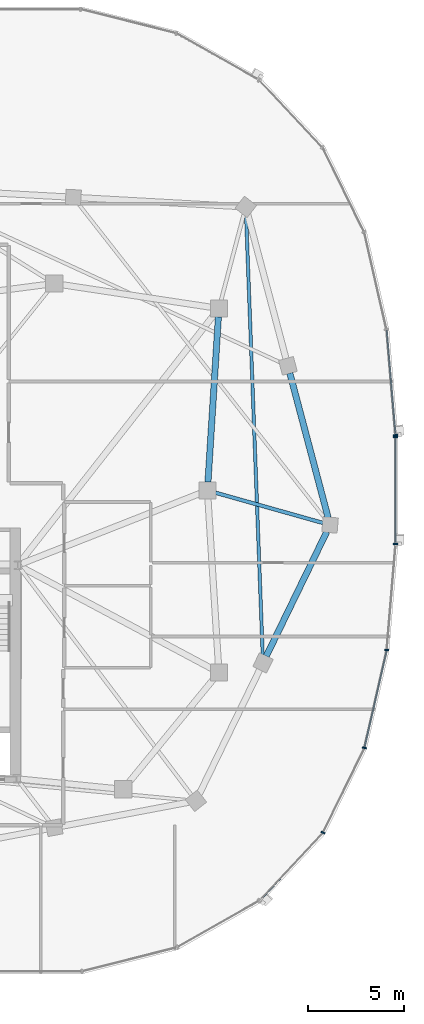
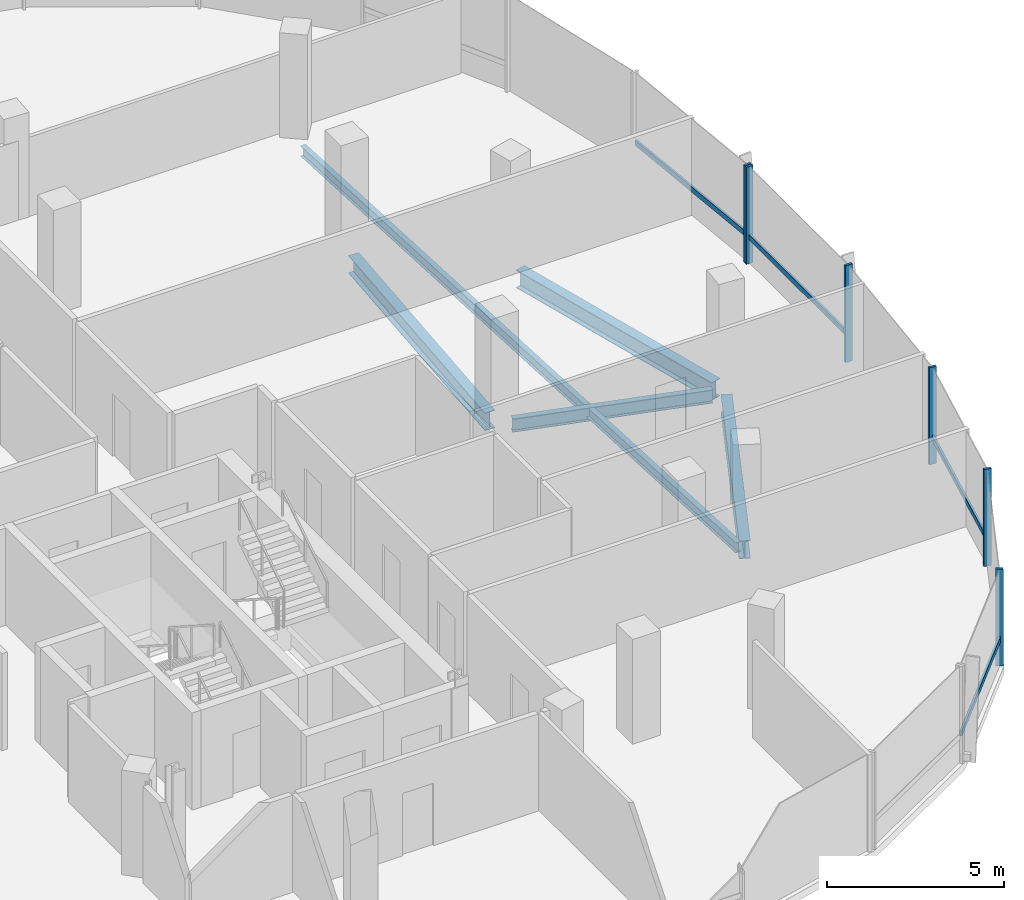
# One storey, part 9 of 26: 10 members, 5 beams, 2 elements without a shape of their own.
"""IFC4 building model written with IfcOpenShell, lengths in metres."""

import ifcopenshell
import ifcopenshell.guid

model = None  # the IFC model being written
_history = None  # IfcOwnerHistory: only IFC2X3 demands one
_inside = {}  # id of a spatial element -> (the spatial element, [elements in it])
_under = {}  # id of a project, library or spatial element -> (it, [spatial elements below it])
_declared = {}  # id of a project -> (the project, [libraries it declares])
_typed = {}  # id of a type object -> (the type object, [elements of that type])
_made_of = {}  # id of a material, layer set ... -> (it, [elements and type objects made of it])


def new_model(schema):
    """Start an empty IFC model of exactly this schema.

    Asked for "IFC4X3", IfcOpenShell would pick the latest addendum, in which some entities
    have other attributes; the version numbers below select the first issue.
    IFC2X3 requires an IfcOwnerHistory on every rooted entity: one is made here for all.
    """
    global model, _history
    if schema == "IFC4X3":
        model = ifcopenshell.file(schema_version=(4, 3, 0, 0))
    else:
        model = ifcopenshell.file(schema=schema)
    _inside.clear()
    _under.clear()
    _declared.clear()
    _typed.clear()
    _made_of.clear()
    _history = None
    if model.schema == "IFC2X3":
        org = make("IfcOrganization", Name="unknown")
        user = make(
            "IfcPersonAndOrganization",
            ThePerson=make("IfcPerson", FamilyName="unknown"),
            TheOrganization=org,
        )
        app = make(
            "IfcApplication",
            ApplicationDeveloper=org,
            Version="unknown",
            ApplicationFullName="unknown",
            ApplicationIdentifier="unknown",
        )
        _history = make(
            "IfcOwnerHistory",
            OwningUser=user,
            OwningApplication=app,
            ChangeAction="ADDED",
            CreationDate=0,
        )
    return model


def make(cls, **values):
    """One entity of the class cls with the attributes given. An attribute that is None is left unset."""
    return model.create_entity(
        cls, **{name: value for name, value in values.items() if value is not None}
    )


def rooted(cls, **values):
    """An entity with a GlobalId (a new one), such as an element, a storey or a relation."""
    return make(cls, GlobalId=ifcopenshell.guid.new(), OwnerHistory=_history, **values)


def si_unit(unit_type, name, prefix=None):
    """IfcSIUnit, for example si_unit("LENGTHUNIT", "METRE", prefix="MILLI")."""
    return make("IfcSIUnit", UnitType=unit_type, Prefix=prefix, Name=name)


def assignment(units):
    """IfcUnitAssignment: the units of a project."""
    return None if units is None else make("IfcUnitAssignment", Units=units)


def point(xyz):
    """IfcCartesianPoint."""
    return None if xyz is None else make("IfcCartesianPoint", Coordinates=xyz)


def direction(xyz):
    """IfcDirection."""
    return None if xyz is None else make("IfcDirection", DirectionRatios=xyz)


def frame(location, z_axis=None, x_axis=None):
    """IfcAxis2Placement3D, a coordinate frame: its origin and axes. An axis left out is left unset."""
    return make(
        "IfcAxis2Placement3D",
        Location=point(location),
        Axis=direction(z_axis),
        RefDirection=direction(x_axis),
    )


def frame_2d(location, x_axis=None):
    """IfcAxis2Placement2D, a coordinate frame in the plane: its origin and x axis."""
    return make(
        "IfcAxis2Placement2D", Location=point(location), RefDirection=direction(x_axis)
    )


def origin():
    """The frame at (0, 0, 0) with its axes left unset."""
    return frame((0.0, 0.0, 0.0))


def origin_2d():
    """The frame at (0, 0) in the plane with its x axis left unset."""
    return frame_2d((0.0, 0.0))


def place(relative_to, where):
    """IfcLocalPlacement: puts the frame where relative to a parent placement (None: the world)."""
    return make(
        "IfcLocalPlacement", PlacementRelTo=relative_to, RelativePlacement=where
    )


def context(
    kind, dimensions, precision=None, world=None, true_north=None, identifier=None
):
    """IfcGeometricRepresentationContext, for example the 3D "Model" context."""
    return make(
        "IfcGeometricRepresentationContext",
        ContextIdentifier=identifier,
        ContextType=kind,
        CoordinateSpaceDimension=dimensions,
        Precision=precision,
        WorldCoordinateSystem=world,
        TrueNorth=true_north,
    )


def subcontext(parent, identifier, kind, view, scale=None):
    """IfcGeometricRepresentationSubContext, for example "Body" below "Model"."""
    return make(
        "IfcGeometricRepresentationSubContext",
        ContextIdentifier=identifier,
        ContextType=kind,
        ParentContext=parent,
        TargetScale=scale,
        TargetView=view,
    )


def project(units=None, contexts=None):
    """IfcProject with its units and contexts."""
    return rooted(
        "IfcProject",
        Name="project",
        RepresentationContexts=contexts,
        UnitsInContext=assignment(units),
    )


def spatial(cls, under=None, at=None, **own):
    """A site, building, storey or space (cls), placed at a placement, below another one or the project."""
    s = rooted(cls, ObjectPlacement=at, **own)
    if under is not None:
        _under.setdefault(under.id(), (under, []))[1].append(s)
    return s


def profile(cls, at=None, kind="AREA", **sizes):
    """A parametric profile (cls). Its sizes go by their IFC names, for example OverallWidth=200.0."""
    return make(cls, ProfileType=kind, Position=at, **sizes)


def rectangle(**sizes):
    """IfcRectangleProfileDef."""
    return profile("IfcRectangleProfileDef", **sizes)


def i_section(**sizes):
    """IfcIShapeProfileDef."""
    return profile("IfcIShapeProfileDef", **sizes)


def extrude(swept, where, along, depth):
    """IfcExtrudedAreaSolid: the profile swept, set in the frame where, extruded along a direction by depth."""
    return make(
        "IfcExtrudedAreaSolid",
        SweptArea=swept,
        Position=where,
        ExtrudedDirection=direction(along),
        Depth=depth,
    )


def shape(context_of_items, identifier, shape_type, items):
    """IfcShapeRepresentation: the items that make up one representation, for example the "Body"."""
    return make(
        "IfcShapeRepresentation",
        ContextOfItems=context_of_items,
        RepresentationIdentifier=identifier,
        RepresentationType=shape_type,
        Items=items,
    )


def material(Name=None, Category=None):
    """IfcMaterial."""
    return make("IfcMaterial", Name=Name, Category=Category)


def material_profile(
    of_material, cross_section, Name=None, Category=None, Priority=None
):
    """IfcMaterialProfile: a cross section and its material."""
    return make(
        "IfcMaterialProfile",
        Name=Name,
        Material=of_material,
        Profile=cross_section,
        Priority=Priority,
        Category=Category,
    )


def profile_set(profiles, Name=None, composite=None):
    """IfcMaterialProfileSet."""
    return make(
        "IfcMaterialProfileSet",
        Name=Name,
        MaterialProfiles=profiles,
        CompositeProfile=composite,
    )


def made_of(thing, what):
    """Note that an element or type object is made of a material, layer set ...; save() writes the relation."""
    if what is not None:
        _made_of.setdefault(what.id(), (what, []))[1].append(thing)
    return thing


def type_object(cls, material=None, **own):
    """A type object (cls), such as IfcWallType, which elements share."""
    return made_of(rooted(cls, **own), material)


def element(
    cls,
    number,
    at=None,
    inside=None,
    cuts=None,
    type_object=None,
    material=None,
    context=None,
    identifier="Body",
    shape_type=None,
    held_by="IfcProductDefinitionShape",
    body=None,
    shapes=None,
    **own,
):
    """One element of the class cls, such as IfcWall. Its Tag is "e" and its number.

    at: its placement. inside: the storey or other place that contains it. cuts: it is an
    opening in that element (IfcRelVoidsElement). A single representation is given by context,
    identifier, shape_type and body (its items); several are given by shapes. held_by: the class
    of the entity that holds the representations. save() writes the other relations.
    """
    e = rooted(cls, Tag="e%d" % number, ObjectPlacement=at, **own)
    if body is not None:
        shapes = [shape(context, identifier, shape_type, body)]
    if shapes is not None:
        e.Representation = make(held_by, Representations=shapes)
    if inside is not None:
        _inside.setdefault(inside.id(), (inside, []))[1].append(e)
    if cuts is not None:
        rooted(
            "IfcRelVoidsElement", RelatingBuildingElement=cuts, RelatedOpeningElement=e
        )
    if type_object is not None:
        _typed.setdefault(type_object.id(), (type_object, []))[1].append(e)
    return made_of(e, material)


def aggregate(whole, parts):
    """IfcRelAggregates: a whole, such as a stair, and the parts it consists of."""
    return rooted("IfcRelAggregates", RelatingObject=whole, RelatedObjects=parts)


def save(model, path):
    """Write the relations noted so far, then the file.

    IfcRelAggregates (storeys below a building ...), IfcRelContainedInSpatialStructure (elements
    in a storey), IfcRelDefinesByType, IfcRelAssociatesMaterial and IfcRelDeclares: one each for
    every whole, place, type object, material and project.
    """
    for whole, parts in _under.values():
        aggregate(whole, parts)
    for where, things in _inside.values():
        rooted(
            "IfcRelContainedInSpatialStructure",
            RelatedElements=things,
            RelatingStructure=where,
        )
    for kind, things in _typed.values():
        rooted("IfcRelDefinesByType", RelatedObjects=things, RelatingType=kind)
    for what, things in _made_of.values():
        rooted("IfcRelAssociatesMaterial", RelatedObjects=things, RelatingMaterial=what)
    for by, libraries in _declared.values():
        rooted("IfcRelDeclares", RelatingContext=by, RelatedDefinitions=libraries)
    model.write(path)


model = new_model("IFC4")

# Units and contexts
model_context = context("Model", 3, precision=1e-05, world=origin(), true_north=direction((0.0, 1.0)))
body_context = subcontext(model_context, "Body", "Model", "MODEL_VIEW")
ifc_project = project(units=[si_unit("LENGTHUNIT", "METRE"), si_unit("AREAUNIT", "SQUARE_METRE"), si_unit("VOLUMEUNIT", "CUBIC_METRE"), si_unit("PLANEANGLEUNIT", "RADIAN"), si_unit("MASSUNIT", "GRAM", prefix="KILO"), si_unit("THERMODYNAMICTEMPERATUREUNIT", "KELVIN"), si_unit("POWERUNIT", "WATT")], contexts=[model_context])

# Site, building, storey
site_placement = place(None, origin())
site = spatial("IfcSite", under=ifc_project, at=site_placement, CompositionType="ELEMENT")
building_placement = place(site_placement, origin())
building = spatial("IfcBuilding", under=site, at=building_placement, Name="Cundina Bronze Exchange", CompositionType="ELEMENT")
storey_placement = place(building_placement, frame((0.0, 0.0, 261.199951171875)))
storey = spatial("IfcBuildingStorey", under=building, at=storey_placement, Name="L69", CompositionType="ELEMENT", Elevation=261.199951171875)

# Beams
ifc_material_1 = material(Name="Steel ASTM A992 Grade 50", Category="steel")
ifc_material_profile_1 = material_profile(ifc_material_1, i_section(OverallWidth=0.19091796875, OverallDepth=0.4599609375, WebThickness=0.010009765625, FlangeThickness=0.01611328125, FilletRadius=0.011962890625, at=origin_2d()), Name="W18X55", Category="steel")
ifc_profile_set_1 = profile_set([ifc_material_profile_1], Name="Steel ASTM A992 Grade 50")
beam_type_1 = type_object("IfcBeamType", Name="BM-FLR-W18B", PredefinedType="BEAM", material=ifc_profile_set_1)
beam_1_placement = place(storey_placement, frame((41.62158203125, -0.11865234375, -0.489990234375), z_axis=(0.962650257113, -0.270748005496, 0.0), x_axis=(0.270748005496, 0.962650257113, 0.0)))
element("IfcBeam", 1, at=beam_1_placement, inside=storey, type_object=beam_type_1, Name="L69 Leg E Chordal Floor Beam 08", PredefinedType="BEAM", context=body_context, shape_type="SweptSolid", body=[
    extrude(i_section(OverallWidth=0.19091796875, OverallDepth=0.4599609375, WebThickness=0.010009765625, FlangeThickness=0.01611328125, FilletRadius=0.011962890625, at=origin_2d()), origin(), (0.0, 0.0, 1.0), 5.822509765625),
])
ifc_material_profile_2 = material_profile(ifc_material_1, i_section(OverallWidth=0.172119140625, OverallDepth=0.35791015625, WebThickness=0.0078125, FlangeThickness=0.01318359375, FilletRadius=0.010009765625, at=origin_2d()), Name="W14X38", Category="steel")
ifc_profile_set_2 = profile_set([ifc_material_profile_2], Name="Steel ASTM A992 Grade 50")
beam_type_2 = type_object("IfcBeamType", Name="BM-JST-W14", PredefinedType="JOIST", material=ifc_profile_set_2)
beam_2_placement = place(storey_placement, frame((44.085205078125, -8.6123046875, -0.43896484375), z_axis=(-0.037784872152, 0.999285896746, 0.0), x_axis=(-0.999285896746, -0.037784872152, 0.0)))
element("IfcBeam", 2, at=beam_2_placement, inside=storey, type_object=beam_type_2, Name="L69 Leg E Lobe Floor Joist 07-10", PredefinedType="JOIST", context=body_context, shape_type="SweptSolid", body=[
    extrude(i_section(OverallWidth=0.172119140625, OverallDepth=0.35791015625, WebThickness=0.0078125, FlangeThickness=0.01318359375, FilletRadius=0.010009765625, at=origin_2d()), origin(), (0.0, 0.0, 1.0), 23.041015625),
])
ifc_material_profile_3 = material_profile(ifc_material_1, i_section(OverallWidth=0.324951171875, OverallDepth=0.615966796875, WebThickness=0.013916015625, FlangeThickness=0.021484375, FilletRadius=0.01611328125, at=origin_2d()), Name="W24X117", Category="steel")
ifc_profile_set_3 = profile_set([ifc_material_profile_3], Name="Steel ASTM A992 Grade 50")
beam_type_3 = type_object("IfcBeamType", Name="BM-RING-W24", PredefinedType="USERDEFINED", material=ifc_profile_set_3)
beam_3_placement = place(storey_placement, frame((41.2275390625, 0.43701171875, -0.56787109375), z_axis=(0.063046519736, 0.998010589297, 0.0), x_axis=(-0.998010589297, 0.063046519736, 0.0)))
element("IfcBeam", 3, at=beam_3_placement, inside=storey, type_object=beam_type_3, Name="L69 E Inner Structural Ring Girder 04", ObjectType="GIRDER", PredefinedType="USERDEFINED", context=body_context, shape_type="SweptSolid", body=[
    extrude(i_section(OverallWidth=0.324951171875, OverallDepth=0.615966796875, WebThickness=0.013916015625, FlangeThickness=0.021484375, FilletRadius=0.01611328125, at=origin_2d()), origin(), (0.0, 0.0, 1.0), 8.64306640625),
])
beam_4_placement = place(storey_placement, frame((44.26953125, -8.65087890625, -0.56787109375), z_axis=(0.437216986791, 0.899356050995, 0.0), x_axis=(-0.899356050995, 0.437216986791, 0.0)))
element("IfcBeam", 4, at=beam_4_placement, inside=storey, type_object=beam_type_3, Name="L69 E Perimeter Ring Girder 07", ObjectType="GIRDER", PredefinedType="USERDEFINED", context=body_context, shape_type="SweptSolid", body=[
    extrude(i_section(OverallWidth=0.324951171875, OverallDepth=0.615966796875, WebThickness=0.013916015625, FlangeThickness=0.021484375, FilletRadius=0.01611328125, at=origin_2d()), origin(), (0.0, 0.0, 1.0), 7.2294921875),
])
beam_5_placement = place(storey_placement, frame((47.50048828125, -1.425048828125, -0.56787109375), z_axis=(-0.256183793797, 0.966628089699, 0.0), x_axis=(-0.966628089699, -0.256183793797, 0.0)))
element("IfcBeam", 5, at=beam_5_placement, inside=storey, type_object=beam_type_3, Name="L69 E Perimeter Ring Girder 08", ObjectType="GIRDER", PredefinedType="USERDEFINED", context=body_context, shape_type="SweptSolid", body=[
    extrude(i_section(OverallWidth=0.324951171875, OverallDepth=0.615966796875, WebThickness=0.013916015625, FlangeThickness=0.021484375, FilletRadius=0.01611328125, at=origin_2d()), origin(), (0.0, 0.0, 1.0), 7.810791015625),
])

# Curtain wall, member
ifc_material_2 = material(Name="Anodised Bronze Aluminium 6063-T6", Category="aluminium")
curtain_wall_type = type_object("IfcCurtainWallType", Name="CWS-SKG-BRG", PredefinedType="NOTDEFINED", material=ifc_material_2)
curtain_wall_1_placement = place(storey_placement, origin())
curtain_wall_1 = element("IfcCurtainWall", 6, at=curtain_wall_1_placement, inside=storey, type_object=curtain_wall_type, Name="L69 CW-06 Curtain Wall Run CWR-L69-E1", PredefinedType="NOTDEFINED")
ifc_material_profile_4 = material_profile(ifc_material_2, rectangle(XDim=0.074951171875, YDim=0.219970703125, at=origin_2d()), Name="AL75X220", Category="aluminium")
ifc_profile_set_4 = profile_set([ifc_material_profile_4], Name="Anodised Bronze Aluminium 6063-T6")
member_type_1 = type_object("IfcMemberType", Name="CWM-MUL-220", PredefinedType="MULLION", material=ifc_profile_set_4)
member_1_placement = place(storey_placement, frame((51.01513671875, 2.885498046875, 0.0), z_axis=(0.0, 0.0, 1.0), x_axis=(-0.083677843332, 0.99649285925, 0.0)))
member_1 = element("IfcMember", 7, at=member_1_placement, type_object=member_type_1, Name="CW-06 Mullion 1", PredefinedType="MULLION", context=body_context, shape_type="SweptSolid", body=[
    extrude(rectangle(XDim=0.074951171875, YDim=0.219970703125, at=origin_2d()), origin(), (0.0, 0.0, 1.0), 3.340087890625),
])

# Curtain wall, members
curtain_wall_2_placement = place(storey_placement, origin())
curtain_wall_2 = element("IfcCurtainWall", 8, at=curtain_wall_2_placement, inside=storey, type_object=curtain_wall_type, Name="L69 CW-06 Curtain Wall Run CWR-L69-E4", PredefinedType="NOTDEFINED")
member_2_placement = place(storey_placement, frame((47.2333984375, -17.856689453125, 0.0), z_axis=(0.0, 0.0, 1.0), x_axis=(0.440566004113, 0.897720221461, 0.0)))
member_2 = element("IfcMember", 9, at=member_2_placement, type_object=member_type_1, Name="CW-06 Mullion 2", PredefinedType="MULLION", context=body_context, shape_type="SweptSolid", body=[
    extrude(rectangle(XDim=0.074951171875, YDim=0.219970703125, at=origin_2d()), origin(), (0.0, 0.0, 1.0), 3.340087890625),
])
member_3_placement = place(storey_placement, frame((49.39404296875, -13.433837890625, 0.0), z_axis=(0.0, 0.0, 1.0), x_axis=(0.223250116011, 0.974761194191, 0.0)))
member_3 = element("IfcMember", 10, at=member_3_placement, type_object=member_type_1, Name="CW-06 Mullion 3", PredefinedType="MULLION", context=body_context, shape_type="SweptSolid", body=[
    extrude(rectangle(XDim=0.074951171875, YDim=0.219970703125, at=origin_2d()), origin(), (0.0, 0.0, 1.0), 3.340087890625),
])
member_4_placement = place(storey_placement, frame((50.557861328125, -8.32568359375, 0.0), z_axis=(0.0, 0.0, 1.0), x_axis=(0.083677843332, 0.99649285925, 0.0)))
member_4 = element("IfcMember", 11, at=member_4_placement, type_object=member_type_1, Name="CW-06 Mullion 4", PredefinedType="MULLION", context=body_context, shape_type="SweptSolid", body=[
    extrude(rectangle(XDim=0.074951171875, YDim=0.219970703125, at=origin_2d()), origin(), (0.0, 0.0, 1.0), 3.340087890625),
])
member_5_placement = place(storey_placement, frame((51.01904296875, -2.79150390625, 0.0), z_axis=(0.0, 0.0, 1.0), x_axis=(0.0, 1.0, 0.0)))
member_5 = element("IfcMember", 12, at=member_5_placement, type_object=member_type_1, Name="CW-06 Mullion 5", PredefinedType="MULLION", context=body_context, shape_type="SweptSolid", body=[
    extrude(rectangle(XDim=0.074951171875, YDim=0.219970703125, at=origin_2d()), origin(), (0.0, 0.0, 1.0), 3.340087890625),
])
member_6_placement = place(storey_placement, frame((51.01904296875, 2.79150390625, 0.0), z_axis=(0.0, 0.0, 1.0), x_axis=(0.0, 1.0, 0.0)))
member_6 = element("IfcMember", 13, at=member_6_placement, type_object=member_type_1, Name="CW-06 End Mullion", PredefinedType="MULLION", context=body_context, shape_type="SweptSolid", body=[
    extrude(rectangle(XDim=0.074951171875, YDim=0.219970703125, at=origin_2d()), origin(), (0.0, 0.0, 1.0), 3.340087890625),
])

# Member
ifc_material_profile_5 = material_profile(ifc_material_2, rectangle(XDim=0.070068359375, YDim=0.179931640625, at=origin_2d()), Name="AL70X180", Category="aluminium")
ifc_profile_set_5 = profile_set([ifc_material_profile_5], Name="Anodised Bronze Aluminium 6063-T6")
member_type_2 = type_object("IfcMemberType", Name="CWM-TRN-180", PredefinedType="USERDEFINED", material=ifc_profile_set_5)
member_7_placement = place(storey_placement, frame((51.01171875, 2.926513671875, 0.920166015625), z_axis=(-0.083756005485, 0.996486292703, 0.0), x_axis=(-0.996486292703, -0.083756005485, 0.0)))
member_7 = element("IfcMember", 14, at=member_7_placement, type_object=member_type_2, Name="CW-06 Spandrel Transom 1", ObjectType="TRANSOM", PredefinedType="USERDEFINED", context=body_context, shape_type="SweptSolid", body=[
    extrude(rectangle(XDim=0.070068359375, YDim=0.179931640625, at=origin_2d()), origin(), (0.0, 0.0, 1.0), 5.459716796875),
])

aggregate(curtain_wall_1, [member_1, member_7])

member_8_placement = place(storey_placement, frame((43.968505859375, -21.349609375, 0.920166015625), z_axis=(0.684328474899, 0.729173873944, 0.0), x_axis=(-0.729173873944, 0.684328474899, 0.0)))
member_8 = element("IfcMember", 15, at=member_8_placement, type_object=member_type_2, Name="CW-06 Spandrel Transom 1", ObjectType="TRANSOM", PredefinedType="USERDEFINED", context=body_context, shape_type="SweptSolid", body=[
    extrude(rectangle(XDim=0.070068359375, YDim=0.179931640625, at=origin_2d()), origin(), (0.0, 0.0, 1.0), 4.758056640625),
])

member_9_placement = place(storey_placement, frame((49.4033203125, -13.3935546875, 0.920166015625), z_axis=(0.223257048806, 0.974759606343, 0.0), x_axis=(-0.974759606343, 0.223257048806, 0.0)))
member_9 = element("IfcMember", 16, at=member_9_placement, type_object=member_type_2, Name="CW-06 Spandrel Transom 3", ObjectType="TRANSOM", PredefinedType="USERDEFINED", context=body_context, shape_type="SweptSolid", body=[
    extrude(rectangle(XDim=0.070068359375, YDim=0.179931640625, at=origin_2d()), origin(), (0.0, 0.0, 1.0), 5.15283203125),
])

member_10_placement = place(storey_placement, frame((51.01904296875, -2.750244140625, 0.920166015625), z_axis=(0.0, 1.0, 0.0), x_axis=(-1.0, 0.0, 0.0)))
member_10 = element("IfcMember", 17, at=member_10_placement, type_object=member_type_2, Name="CW-06 Spandrel Transom 5", ObjectType="TRANSOM", PredefinedType="USERDEFINED", context=body_context, shape_type="SweptSolid", body=[
    extrude(rectangle(XDim=0.070068359375, YDim=0.179931640625, at=origin_2d()), origin(), (0.0, 0.0, 1.0), 5.50048828125),
])

aggregate(curtain_wall_2, [member_8, member_2, member_3, member_9, member_4, member_5, member_6, member_10])

save(model, "model.ifc")
